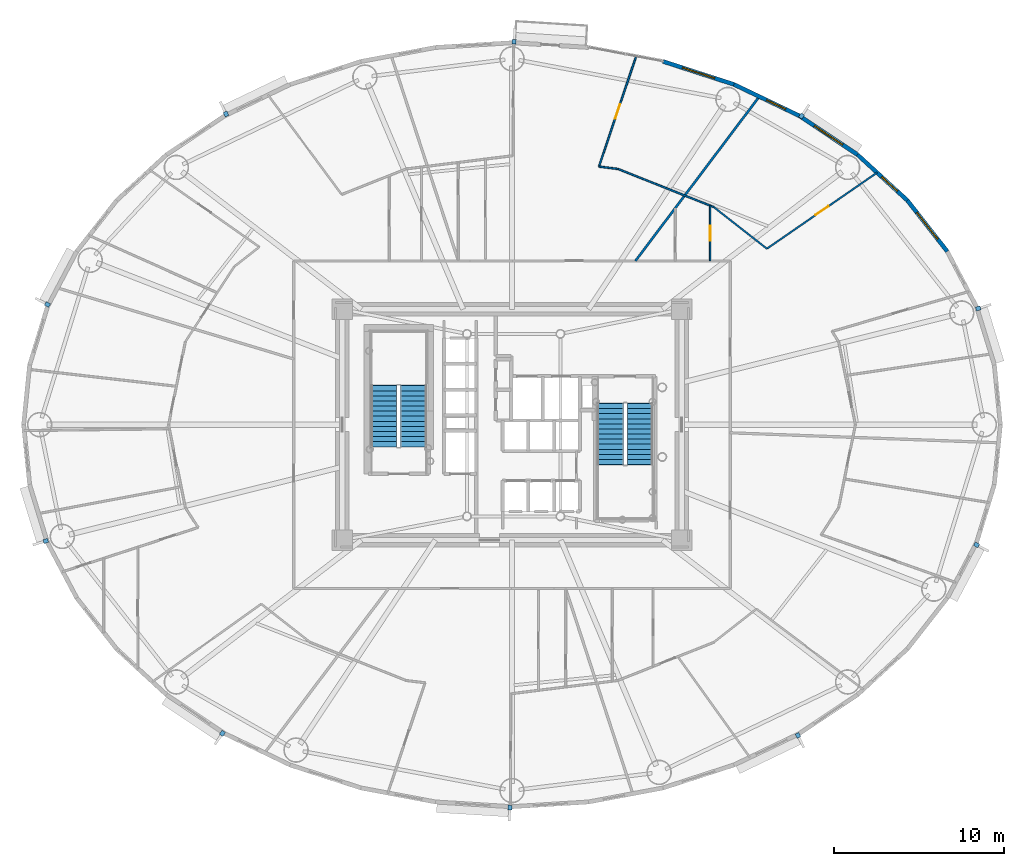
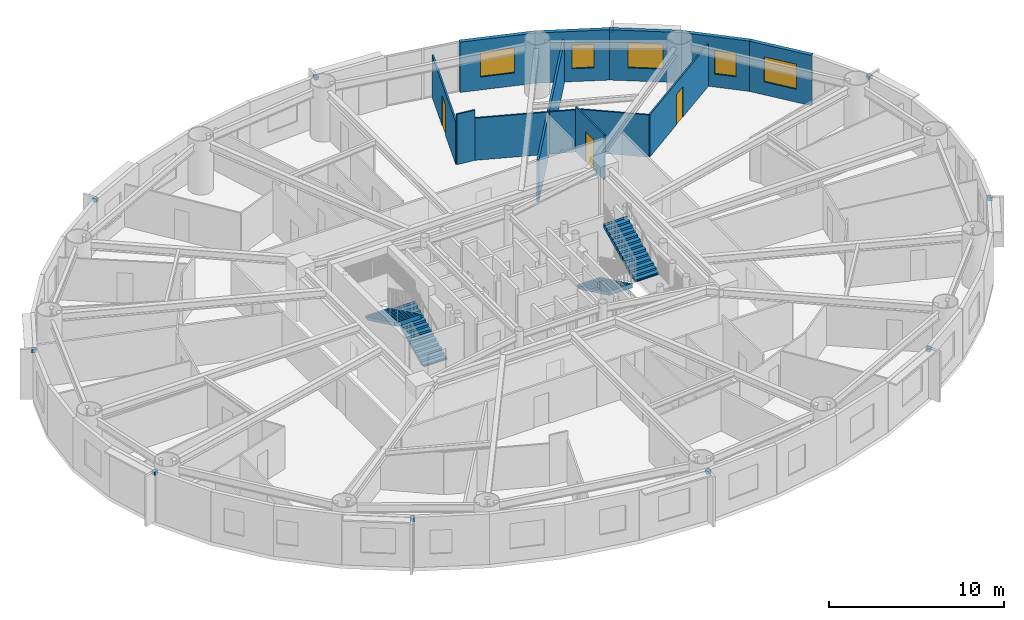
# One storey, part 11 of 16: 12 walls, 10 discrete accessories, 5 windows, 4 stair flights, 3 doors, 8 openings, 2 elements without a shape of their own.
"""IFC4 building model written with IfcOpenShell, lengths in metres."""

from ifc_helpers import new_model, si_unit, direction, frame, frame_2d, origin, origin_2d, place, context, subcontext, project, spatial, polyline, rectangle, outline, extrude, source, transform, mapped, material, layer, layer_set, type_object, element, fill, aggregate, save


model = new_model("IFC4")

# Units and contexts
model_context = context("Model", 3, precision=1e-05, world=origin(), true_north=direction((0.0, 1.0)))
body_context = subcontext(model_context, "Body", "Model", "MODEL_VIEW")
ifc_project = project(units=[si_unit("LENGTHUNIT", "METRE"), si_unit("AREAUNIT", "SQUARE_METRE"), si_unit("VOLUMEUNIT", "CUBIC_METRE"), si_unit("PLANEANGLEUNIT", "RADIAN"), si_unit("MASSUNIT", "GRAM", prefix="KILO")], contexts=[model_context])

# Site, building, storey
site_placement = place(None, origin())
site = spatial("IfcSite", under=ifc_project, at=site_placement, CompositionType="ELEMENT")
building_placement = place(site_placement, origin())
building = spatial("IfcBuilding", under=site, at=building_placement, Name="Linh Dai School and Residence Tower", CompositionType="ELEMENT")
storey_placement = place(building_placement, frame((0.0, 0.0, 108.449951171875)))
storey = spatial("IfcBuildingStorey", under=building, at=storey_placement, Name="L25", CompositionType="ELEMENT", Elevation=108.449951171875)

# Wall, opening, window
ifc_material_1 = material(Name="Precast Concrete B45 (C35/45)", Category="concrete")
ifc_layer_1 = layer(ifc_material_1, 0.239990234375)
ifc_layer_set_1 = layer_set([ifc_layer_1], Name="Precast Concrete B45 (C35/45)")
wall_type_1 = type_object("IfcWallType", Name="EW-TC-240", PredefinedType="SOLIDWALL", material=ifc_layer_set_1)
wall_1_placement = place(storey_placement, frame((59.2890625, 40.216552734375, 0.0), z_axis=(0.0, 0.0, 1.0), x_axis=(0.616272103517, -0.787533297345, 0.0)))
wall_1 = element("IfcWall", 1, at=wall_1_placement, inside=storey, type_object=wall_type_1, Name="L25 Terracotta Exterior Wall 04", PredefinedType="SOLIDWALL", context=body_context, shape_type="SweptSolid", body=[
    extrude(rectangle(XDim=3.8232421875, YDim=0.239990234375, at=frame_2d((1.91162109375, 0.0))), origin(), (0.0, 0.0, 1.0), 3.5),
])
opening_1_placement = place(wall_1_placement, frame((0.91162109375, 0.0, 0.89990234375)))
opening_1 = element("IfcOpeningElement", 2, at=opening_1_placement, cuts=wall_1, Name="Opening W1", PredefinedType="OPENING", context=body_context, shape_type="SweptSolid", body=[
    extrude(rectangle(XDim=2.0, YDim=1.75, at=origin_2d()), frame((1.0, 0.1298828125, 0.875), z_axis=(0.0, -1.0, 0.0), x_axis=(1.0, 0.0, 0.0)), (0.0, 0.0, 1.0), 0.260009765625),
])
ifc_material_2 = material(Name="Double Low-E Insulated Glazing", Category="glass")
window_type_1 = type_object("IfcWindowType", Name="WN-RES-2000x1750", PartitioningType="DOUBLE_PANEL_VERTICAL", PredefinedType="WINDOW", material=ifc_material_2)
shared_shape_1 = source(origin(), body_context, "Body", "SweptSolid", [
    extrude(rectangle(XDim=2.0, YDim=1.75, at=origin_2d()), frame((1.0, 0.030029296875, 0.875), z_axis=(0.0, -1.0, 0.0), x_axis=(1.0, 0.0, 0.0)), (0.0, 0.0, 1.0), 0.06005859375),
])
window_1_placement = place(opening_1_placement, origin())
window_1 = element("IfcWindow", 3, at=window_1_placement, inside=storey, type_object=window_type_1, Name="L25 Exterior Window 04.1", OverallHeight=1.75, OverallWidth=2.0, PartitioningType="DOUBLE_PANEL_VERTICAL", PredefinedType="WINDOW", context=body_context, shape_type="MappedRepresentation", body=[
    mapped(shared_shape_1, transform((0.0, 0.0, 0.0), x_axis=(1.0, 0.0, 0.0), y_axis=(0.0, 1.0, 0.0), z_axis=(0.0, 0.0, 1.0), scale=1.0)),
])
fill(opening_1, window_1)

wall_2_placement = place(storey_placement, frame((56.3583984375, 42.9033203125, 0.0), z_axis=(0.0, 0.0, 1.0), x_axis=(0.737113356241, -0.675769117414, 0.0)))
wall_2 = element("IfcWall", 4, at=wall_2_placement, inside=storey, type_object=wall_type_1, Name="L25 Terracotta Exterior Wall 05", PredefinedType="SOLIDWALL", context=body_context, shape_type="SweptSolid", body=[
    extrude(rectangle(XDim=3.975830078125, YDim=0.239990234375, at=frame_2d((1.98779296875, 0.0))), origin(), (0.0, 0.0, 1.0), 3.5),
])
opening_2_placement = place(wall_2_placement, frame((1.932861328125, 0.0, 0.89990234375)))
opening_2 = element("IfcOpeningElement", 5, at=opening_2_placement, cuts=wall_2, Name="Opening W3", PredefinedType="OPENING", context=body_context, shape_type="SweptSolid", body=[
    extrude(rectangle(XDim=1.25, YDim=1.64990234375, at=origin_2d()), frame((0.625, 0.1298828125, 0.824951171875), z_axis=(0.0, -1.0, 0.0), x_axis=(1.0, 0.0, 0.0)), (0.0, 0.0, 1.0), 0.260009765625),
])
window_type_2 = type_object("IfcWindowType", Name="WN-RES-1250x1650", PartitioningType="SINGLE_PANEL", PredefinedType="WINDOW", material=ifc_material_2)
shared_shape_2 = source(origin(), body_context, "Body", "SweptSolid", [
    extrude(rectangle(XDim=1.25, YDim=1.64990234375, at=origin_2d()), frame((0.625, 0.030029296875, 0.824951171875), z_axis=(0.0, -1.0, 0.0), x_axis=(1.0, 0.0, 0.0)), (0.0, 0.0, 1.0), 0.06005859375),
])
window_2_placement = place(opening_2_placement, origin())
window_2 = element("IfcWindow", 6, at=window_2_placement, inside=storey, type_object=window_type_2, Name="L25 Exterior Window 05.1", OverallHeight=1.64990234375, OverallWidth=1.25, PartitioningType="SINGLE_PANEL", PredefinedType="WINDOW", context=body_context, shape_type="MappedRepresentation", body=[
    mapped(shared_shape_2, transform((0.0, 0.0, 0.0), x_axis=(1.0, 0.0, 0.0), y_axis=(0.0, 1.0, 0.0), z_axis=(0.0, 0.0, 1.0), scale=1.0)),
])
fill(opening_2, window_2)

wall_3_placement = place(storey_placement, frame((52.92529296875, 45.199462890625, 0.0), z_axis=(0.0, 0.0, 1.0), x_axis=(0.831221811447, -0.555940914284, 0.0)))
wall_3 = element("IfcWall", 7, at=wall_3_placement, inside=storey, type_object=wall_type_1, Name="L25 Terracotta Exterior Wall 06", PredefinedType="SOLIDWALL", context=body_context, shape_type="SweptSolid", body=[
    extrude(rectangle(XDim=4.130126953125, YDim=0.239990234375, at=frame_2d((2.06494140625, 0.0))), origin(), (0.0, 0.0, 1.0), 3.5),
])
opening_3_placement = place(wall_3_placement, frame((1.06494140625, 0.0, 0.89990234375)))
opening_3 = element("IfcOpeningElement", 8, at=opening_3_placement, cuts=wall_3, Name="Opening W1", PredefinedType="OPENING", context=body_context, shape_type="SweptSolid", body=[
    extrude(rectangle(XDim=2.0, YDim=1.75, at=origin_2d()), frame((1.0, 0.1298828125, 0.875), z_axis=(0.0, -1.0, 0.0), x_axis=(1.0, 0.0, 0.0)), (0.0, 0.0, 1.0), 0.260009765625),
])
window_3_placement = place(opening_3_placement, origin())
window_3 = element("IfcWindow", 9, at=window_3_placement, inside=storey, type_object=window_type_1, Name="L25 Exterior Window 06.1", OverallHeight=1.75, OverallWidth=2.0, PartitioningType="DOUBLE_PANEL_VERTICAL", PredefinedType="WINDOW", context=body_context, shape_type="MappedRepresentation", body=[
    mapped(shared_shape_1, transform((0.0, 0.0, 0.0), x_axis=(1.0, 0.0, 0.0), y_axis=(0.0, 1.0, 0.0), z_axis=(0.0, 0.0, 1.0), scale=1.0)),
])
fill(opening_3, window_3)

wall_4_placement = place(storey_placement, frame((49.073974609375, 47.04736328125, 0.0), z_axis=(0.0, 0.0, 1.0), x_axis=(0.901589935876, -0.432591709962, 0.0)))
wall_4 = element("IfcWall", 10, at=wall_4_placement, inside=storey, type_object=wall_type_1, Name="L25 Terracotta Exterior Wall 07", PredefinedType="SOLIDWALL", context=body_context, shape_type="SweptSolid", body=[
    extrude(rectangle(XDim=4.271728515625, YDim=0.239990234375, at=frame_2d((2.1357421875, 0.0))), origin(), (0.0, 0.0, 1.0), 3.5),
])
opening_4_placement = place(wall_4_placement, frame((2.1318359375, 0.0, 0.89990234375)))
opening_4 = element("IfcOpeningElement", 11, at=opening_4_placement, cuts=wall_4, Name="Opening W3", PredefinedType="OPENING", context=body_context, shape_type="SweptSolid", body=[
    extrude(rectangle(XDim=1.25, YDim=1.64990234375, at=origin_2d()), frame((0.625, 0.1298828125, 0.824951171875), z_axis=(0.0, -1.0, 0.0), x_axis=(1.0, 0.0, 0.0)), (0.0, 0.0, 1.0), 0.260009765625),
])
window_4_placement = place(opening_4_placement, origin())
window_4 = element("IfcWindow", 12, at=window_4_placement, inside=storey, type_object=window_type_2, Name="L25 Exterior Window 07.1", OverallHeight=1.64990234375, OverallWidth=1.25, PartitioningType="SINGLE_PANEL", PredefinedType="WINDOW", context=body_context, shape_type="MappedRepresentation", body=[
    mapped(shared_shape_2, transform((0.0, 0.0, 0.0), x_axis=(1.0, 0.0, 0.0), y_axis=(0.0, 1.0, 0.0), z_axis=(0.0, 0.0, 1.0), scale=1.0)),
])
fill(opening_4, window_4)

wall_5_placement = place(storey_placement, frame((44.899658203125, 48.4013671875, 0.0), z_axis=(0.0, 0.0, 1.0), x_axis=(0.951211346073, -0.308540070495, 0.0)))
wall_5 = element("IfcWall", 13, at=wall_5_placement, inside=storey, type_object=wall_type_1, Name="L25 Terracotta Exterior Wall 08", PredefinedType="SOLIDWALL", context=body_context, shape_type="SweptSolid", body=[
    extrude(rectangle(XDim=4.388427734375, YDim=0.239990234375, at=frame_2d((2.1943359375, 0.0))), origin(), (0.0, 0.0, 1.0), 3.5),
])
opening_5_placement = place(wall_5_placement, frame((1.194091796875, 0.0, 0.89990234375)))
opening_5 = element("IfcOpeningElement", 14, at=opening_5_placement, cuts=wall_5, Name="Opening W1", PredefinedType="OPENING", context=body_context, shape_type="SweptSolid", body=[
    extrude(rectangle(XDim=2.0, YDim=1.75, at=origin_2d()), frame((1.0, 0.1298828125, 0.875), z_axis=(0.0, -1.0, 0.0), x_axis=(1.0, 0.0, 0.0)), (0.0, 0.0, 1.0), 0.260009765625),
])
window_5_placement = place(opening_5_placement, origin())
window_5 = element("IfcWindow", 15, at=window_5_placement, inside=storey, type_object=window_type_1, Name="L25 Exterior Window 08.1", OverallHeight=1.75, OverallWidth=2.0, PartitioningType="DOUBLE_PANEL_VERTICAL", PredefinedType="WINDOW", context=body_context, shape_type="MappedRepresentation", body=[
    mapped(shared_shape_1, transform((0.0, 0.0, 0.0), x_axis=(1.0, 0.0, 0.0), y_axis=(0.0, 1.0, 0.0), z_axis=(0.0, 0.0, 1.0), scale=1.0)),
])
fill(opening_5, window_5)

# Walls
ifc_material_3 = material(Name="Autoclaved Aerated Concrete Blockwork", Category="masonry")
ifc_layer_2 = layer(ifc_material_3, 0.135009765625)
ifc_layer_set_2 = layer_set([ifc_layer_2], Name="Autoclaved Aerated Concrete Blockwork")
wall_type_2 = type_object("IfcWallType", Name="IW-CORR-135-EI90", PredefinedType="PARTITIONING", material=ifc_layer_set_2)
wall_6_placement = place(storey_placement, frame((43.271728515625, 36.64990234375, 0.0), z_axis=(0.0, 0.0, 1.0), x_axis=(0.601821582461, 0.798630567211, 0.0)))
element("IfcWall", 16, at=wall_6_placement, inside=storey, type_object=wall_type_2, Name="L25 Interior Partition Wall 079", PredefinedType="PARTITIONING", context=body_context, shape_type="SweptSolid", body=[
    extrude(rectangle(XDim=12.127197265625, YDim=0.135009765625, at=frame_2d((6.0634765625, 0.0))), origin(), (0.0, 0.0, 1.0), 2.93505859375),
])
ifc_material_4 = material(Name="Gypsum Plasterboard Acoustic Stud Partition", Category="masonry")
ifc_layer_3 = layer(ifc_material_4, 0.10009765625)
ifc_layer_set_3 = layer_set([ifc_layer_3], Name="Gypsum Plasterboard Acoustic Stud Partition")
wall_type_3 = type_object("IfcWallType", Name="IW-UNIT-100", PredefinedType="PARTITIONING", material=ifc_layer_set_3)
wall_7_placement = place(storey_placement, frame((41.12451171875, 42.205322265625, 0.0), z_axis=(0.0, 0.0, 1.0), x_axis=(0.99240961586, -0.122976234894, 0.0)))
element("IfcWall", 17, at=wall_7_placement, inside=storey, type_object=wall_type_3, Name="L25 Interior Partition Wall 074", PredefinedType="PARTITIONING", context=body_context, shape_type="SweptSolid", body=[
    extrude(rectangle(XDim=1.135498046875, YDim=0.10009765625, at=frame_2d((0.56787109375, 0.0))), origin(), (0.0, 0.0, 1.0), 3.5),
])

# Wall, opening, door
wall_8_placement = place(storey_placement, frame((41.12451171875, 42.205322265625, 0.0), z_axis=(0.0, 0.0, 1.0), x_axis=(0.319387131438, 0.947624324441, 0.0)))
wall_8 = element("IfcWall", 18, at=wall_8_placement, inside=storey, type_object=wall_type_3, Name="L25 Interior Partition Wall 075", PredefinedType="PARTITIONING", context=body_context, shape_type="SweptSolid", body=[
    extrude(rectangle(XDim=6.858154296875, YDim=0.10009765625, at=frame_2d((3.42919921875, 0.0))), origin(), (0.0, 0.0, 1.0), 2.93505859375),
])
opening_6_placement = place(wall_8_placement, frame((2.97900390625, 0.0, 0.0)))
opening_6 = element("IfcOpeningElement", 19, at=opening_6_placement, cuts=wall_8, Name="Opening D05", PredefinedType="OPENING", context=body_context, shape_type="SweptSolid", body=[
    extrude(rectangle(XDim=0.89990234375, YDim=2.10009765625, at=origin_2d()), frame((0.449951171875, 0.06005859375, 1.050048828125), z_axis=(0.0, -1.0, 0.0), x_axis=(1.0, 0.0, 0.0)), (0.0, 0.0, 1.0), 0.1201171875),
])
ifc_material_5 = material(Name="Engineered Timber Internal Door", Category="wood")
door_type = type_object("IfcDoorType", Name="DR-INT-900x2100", OperationType="NOTDEFINED", PredefinedType="DOOR", material=ifc_material_5)
shared_shape_3 = source(origin(), body_context, "Body", "SweptSolid", [
    extrude(rectangle(XDim=0.89990234375, YDim=2.10009765625, at=origin_2d()), frame((0.449951171875, 0.02490234375, 1.050048828125), z_axis=(0.0, -1.0, 0.0), x_axis=(1.0, 0.0, 0.0)), (0.0, 0.0, 1.0), 0.050048828125),
])
door_1_placement = place(opening_6_placement, origin())
door_1 = element("IfcDoor", 20, at=door_1_placement, inside=storey, type_object=door_type, Name="L25 Apartment U2501 Principal Bedroom 1 Door", OperationType="SINGLE_SWING_RIGHT", OverallHeight=2.10009765625, OverallWidth=0.89990234375, PredefinedType="DOOR", context=body_context, shape_type="MappedRepresentation", body=[
    mapped(shared_shape_3, transform((0.0, 0.0, 0.0), x_axis=(1.0, 0.0, 0.0), y_axis=(0.0, 1.0, 0.0), z_axis=(0.0, 0.0, 1.0), scale=1.0)),
])
fill(opening_6, door_1)

# Wall
wall_9_placement = place(storey_placement, frame((42.25146484375, 42.065673828125, 0.0), z_axis=(0.0, 0.0, 1.0), x_axis=(0.9288090756, -0.370558633798, 0.0)))
element("IfcWall", 21, at=wall_9_placement, inside=storey, type_object=wall_type_3, Name="L25 Interior Partition Wall 078", PredefinedType="PARTITIONING", context=body_context, shape_type="SweptSolid", body=[
    extrude(rectangle(XDim=6.072021484375, YDim=0.10009765625, at=frame_2d((3.0361328125, 0.0))), origin(), (0.0, 0.0, 1.0), 2.93505859375),
])

# Wall, opening, door
wall_10_placement = place(storey_placement, frame((47.671630859375, 36.64990234375, 0.0), z_axis=(0.0, 0.0, 1.0), x_axis=(0.0, 1.0, 0.0)))
wall_10 = element("IfcWall", 22, at=wall_10_placement, inside=storey, type_object=wall_type_3, Name="L25 Interior Partition Wall 084", PredefinedType="PARTITIONING", context=body_context, shape_type="SweptSolid", body=[
    extrude(rectangle(XDim=3.253173828125, YDim=0.10009765625, at=frame_2d((1.62646484375, 0.0))), origin(), (0.0, 0.0, 1.0), 3.125),
])
opening_7_placement = place(wall_10_placement, frame((1.176513671875, 0.0, 0.0)))
opening_7 = element("IfcOpeningElement", 23, at=opening_7_placement, cuts=wall_10, Name="Opening D05", PredefinedType="OPENING", context=body_context, shape_type="SweptSolid", body=[
    extrude(rectangle(XDim=0.89990234375, YDim=2.10009765625, at=origin_2d()), frame((0.449951171875, 0.06005859375, 1.050048828125), z_axis=(0.0, -1.0, 0.0), x_axis=(1.0, 0.0, 0.0)), (0.0, 0.0, 1.0), 0.1201171875),
])
door_2_placement = place(opening_7_placement, origin())
door_2 = element("IfcDoor", 24, at=door_2_placement, inside=storey, type_object=door_type, Name="L25 Apartment U2506 Kitchen Door", OperationType="SINGLE_SWING_RIGHT", OverallHeight=2.10009765625, OverallWidth=0.89990234375, PredefinedType="DOOR", context=body_context, shape_type="MappedRepresentation", body=[
    mapped(shared_shape_3, transform((0.0, 0.0, 0.0), x_axis=(1.0, 0.0, 0.0), y_axis=(0.0, 1.0, 0.0), z_axis=(0.0, 0.0, 1.0), scale=1.0)),
])
fill(opening_7, door_2)

# Wall
wall_11_placement = place(storey_placement, frame((47.890869140625, 39.815673828125, 0.0), z_axis=(0.0, 0.0, 1.0), x_axis=(0.787331052764, -0.616530464254, 0.0)))
element("IfcWall", 25, at=wall_11_placement, inside=storey, type_object=wall_type_3, Name="L25 Interior Partition Wall 086", PredefinedType="PARTITIONING", context=body_context, shape_type="SweptSolid", body=[
    extrude(rectangle(XDim=3.969482421875, YDim=0.10009765625, at=frame_2d((1.98486328125, 0.0))), origin(), (0.0, 0.0, 1.0), 2.93505859375),
])

# Wall, opening, door
wall_12_placement = place(storey_placement, frame((51.01611328125, 37.368408203125, 0.0), z_axis=(0.0, 0.0, 1.0), x_axis=(0.822878649823, 0.568217148338, 0.0)))
wall_12 = element("IfcWall", 26, at=wall_12_placement, inside=storey, type_object=wall_type_3, Name="L25 Interior Partition Wall 090", PredefinedType="PARTITIONING", context=body_context, shape_type="SweptSolid", body=[
    extrude(rectangle(XDim=7.892822265625, YDim=0.10009765625, at=frame_2d((3.9462890625, 0.0))), origin(), (0.0, 0.0, 1.0), 2.93505859375),
])
opening_8_placement = place(wall_12_placement, frame((3.49658203125, 0.0, 0.0)))
opening_8 = element("IfcOpeningElement", 27, at=opening_8_placement, cuts=wall_12, Name="Opening D05", PredefinedType="OPENING", context=body_context, shape_type="SweptSolid", body=[
    extrude(rectangle(XDim=0.89990234375, YDim=2.10009765625, at=origin_2d()), frame((0.449951171875, 0.06005859375, 1.050048828125), z_axis=(0.0, -1.0, 0.0), x_axis=(1.0, 0.0, 0.0)), (0.0, 0.0, 1.0), 0.1201171875),
])
door_3_placement = place(opening_8_placement, origin())
door_3 = element("IfcDoor", 28, at=door_3_placement, inside=storey, type_object=door_type, Name="L25 Apartment U2506 Principal Bedroom 2 Door", OperationType="SINGLE_SWING_LEFT", OverallHeight=2.10009765625, OverallWidth=0.89990234375, PredefinedType="DOOR", context=body_context, shape_type="MappedRepresentation", body=[
    mapped(shared_shape_3, transform((0.0, 0.0, 0.0), x_axis=(1.0, 0.0, 0.0), y_axis=(0.0, 1.0, 0.0), z_axis=(0.0, 0.0, 1.0), scale=1.0)),
])
fill(opening_8, door_3)

# Stair, stair flights
ifc_material_6 = material(Name="Concrete B45 (C35/45)", Category="concrete")
stair_type = type_object("IfcStairType", Name="ST-DOG-1550-R1442", PredefinedType="HALF_TURN_STAIR", material=ifc_material_6)
stair_1_placement = place(storey_placement, origin())
stair_1 = element("IfcStair", 29, at=stair_1_placement, inside=storey, type_object=stair_type, Name="L25 Core Smokeproof Exit Stair ST1", PredefinedType="HALF_TURN_STAIR")
stair_flight_type = type_object("IfcStairFlightType", Name="STF-STR-1550-R1442", PredefinedType="STRAIGHT", material=ifc_material_6)
shared_shape_4 = source(origin(), body_context, "Body", "SweptSolid", [
    extrude(outline(polyline([(-0.02490234375, 0.0), (-0.02490234375, 0.06005859375), (0.0, 0.06005859375), (0.0, 0.144287109375), (0.300048828125, 0.144287109375), (0.300048828125, 0.28857421875), (0.60009765625, 0.28857421875), (0.60009765625, 0.4326171875), (0.89990234375, 0.4326171875), (0.89990234375, 0.576904296875), (1.199951171875, 0.576904296875), (1.199951171875, 0.72119140625), (1.5, 0.72119140625), (1.5, 0.865478515625), (1.800048828125, 0.865478515625), (1.800048828125, 1.009521484375), (2.10009765625, 1.009521484375), (2.10009765625, 1.15380859375), (2.39990234375, 1.15380859375), (2.39990234375, 1.298095703125), (2.699951171875, 1.298095703125), (2.699951171875, 1.4423828125), (3.0, 1.4423828125), (3.0, 1.58642578125), (3.300048828125, 1.58642578125), (3.300048828125, 1.730712890625), (3.60009765625, 1.730712890625), (3.60009765625, 1.875), (3.625, 1.875), (3.625, 1.564453125), (3.60009765625, 1.564453125), (0.345947265625, 0.0), (-0.02490234375, 0.0)])), frame((0.0, 0.77490234375, 0.0), z_axis=(0.0, -1.0, 0.0), x_axis=(1.0, 0.0, 0.0)), (0.0, 0.0, 1.0), 1.550048828125),
])
stair_flight_1_placement = place(storey_placement, frame((30.205078125, 25.699951171875, 0.0), z_axis=(0.0, 0.0, 1.0), x_axis=(0.0, 1.0, 0.0)))
stair_flight_1 = element("IfcStairFlight", 30, at=stair_flight_1_placement, type_object=stair_flight_type, Name="ST1 flight 1", NumberOfRisers=13, NumberOfTreads=12, PredefinedType="STRAIGHT", RiserHeight=0.144230769, TreadLength=0.3, context=body_context, shape_type="MappedRepresentation", body=[
    mapped(shared_shape_4, transform((0.0, 0.0, 0.0), x_axis=(1.0, 0.0, 0.0), y_axis=(0.0, 1.0, 0.0), z_axis=(0.0, 0.0, 1.0), scale=1.0)),
])
stair_flight_2_placement = place(storey_placement, frame((28.455078125, 29.300048828125, 1.875), z_axis=(0.0, 0.0, 1.0), x_axis=(0.0, -1.0, 0.0)))
stair_flight_2 = element("IfcStairFlight", 31, at=stair_flight_2_placement, type_object=stair_flight_type, Name="ST1 flight 2", NumberOfRisers=13, NumberOfTreads=12, PredefinedType="STRAIGHT", RiserHeight=0.144230769, TreadLength=0.3, context=body_context, shape_type="MappedRepresentation", body=[
    mapped(shared_shape_4, transform((0.0, 0.0, 0.0), x_axis=(1.0, 0.0, 0.0), y_axis=(0.0, 1.0, 0.0), z_axis=(0.0, 0.0, 1.0), scale=1.0)),
])
aggregate(stair_1, [stair_flight_1, stair_flight_2])

stair_2_placement = place(storey_placement, origin())
stair_2 = element("IfcStair", 32, at=stair_2_placement, inside=storey, type_object=stair_type, Name="L25 Core Smokeproof Exit Stair ST2", PredefinedType="HALF_TURN_STAIR")
stair_flight_3_placement = place(storey_placement, frame((41.794921875, 28.25, 0.0), z_axis=(0.0, 0.0, 1.0), x_axis=(0.0, -1.0, 0.0)))
stair_flight_3 = element("IfcStairFlight", 33, at=stair_flight_3_placement, type_object=stair_flight_type, Name="ST2 flight 1", NumberOfRisers=13, NumberOfTreads=12, PredefinedType="STRAIGHT", RiserHeight=0.144230769, TreadLength=0.3, context=body_context, shape_type="MappedRepresentation", body=[
    mapped(shared_shape_4, transform((0.0, 0.0, 0.0), x_axis=(1.0, 0.0, 0.0), y_axis=(0.0, 1.0, 0.0), z_axis=(0.0, 0.0, 1.0), scale=1.0)),
])
stair_flight_4_placement = place(storey_placement, frame((43.544921875, 24.64990234375, 1.875), z_axis=(0.0, 0.0, 1.0), x_axis=(0.0, 1.0, 0.0)))
stair_flight_4 = element("IfcStairFlight", 34, at=stair_flight_4_placement, type_object=stair_flight_type, Name="ST2 flight 2", NumberOfRisers=13, NumberOfTreads=12, PredefinedType="STRAIGHT", RiserHeight=0.144230769, TreadLength=0.3, context=body_context, shape_type="MappedRepresentation", body=[
    mapped(shared_shape_4, transform((0.0, 0.0, 0.0), x_axis=(1.0, 0.0, 0.0), y_axis=(0.0, 1.0, 0.0), z_axis=(0.0, 0.0, 1.0), scale=1.0)),
])
aggregate(stair_2, [stair_flight_3, stair_flight_4])

# Discrete accessories
ifc_material_7 = material(Name="Structural Steel S355JR", Category="steel")
discrete_accessory_type = type_object("IfcDiscreteAccessoryType", Name="ACC-BRK-S355", PredefinedType="BRACKET", material=ifc_material_7)
shared_shape_5 = source(origin(), body_context, "Body", "SweptSolid", [
    extrude(rectangle(XDim=0.280029296875, YDim=0.239990234375, at=origin_2d()), origin(), (0.0, 0.0, 1.0), 0.219970703125),
])
for number, where, z_axis, x_axis, name in (
    (35, (63.462646484375, 33.847900390625, 3.25), (0.0, 0.0, 1.0), (0.956071511028, 0.293133528962, 0.0), "L25 Facade Frame Anchor Bracket 02"),
    (36, (53.058349609375, 45.1826171875, 3.25), (0.0, 0.0, 1.0), (0.555913198527, 0.831240347736, 0.0), "L25 Facade Frame Anchor Bracket 06"),
    (37, (36.12353515625, 49.5576171875, 3.25), (0.0, 0.0, 1.0), (0.061509255091, 0.998106513123, 0.0), "L25 Facade Frame Anchor Bracket 10"),
    (38, (19.156982421875, 45.305419921875, 3.25), (0.0, 0.0, 1.0), (-0.432617589064, 0.901577518371, 0.0), "L25 Facade Frame Anchor Bracket 14"),
    (39, (8.633056640625, 34.079345703125, 3.25), (0.0, 0.0, 1.0), (-0.883942180016, 0.467596217252, 0.0), "L25 Facade Frame Anchor Bracket 18"),
    (40, (8.537353515625, 20.152099609375, 3.25), (0.0, 0.0, 1.0), (-0.956071511028, -0.293133528962, 0.0), "L25 Facade Frame Anchor Bracket 22"),
    (41, (18.941650390625, 8.8173828125, 3.25), (0.0, 0.0, 1.0), (-0.555913198527, -0.831240347736, 0.0), "L25 Facade Frame Anchor Bracket 26"),
    (42, (35.87646484375, 4.4423828125, 3.25), (0.0, 0.0, 1.0), (-0.061509255091, -0.998106513123, 0.0), "L25 Facade Frame Anchor Bracket 30"),
    (43, (52.843017578125, 8.694580078125, 3.25), (0.0, 0.0, 1.0), (0.432617589064, -0.901577518371, 0.0), "L25 Facade Frame Anchor Bracket 34"),
    (44, (63.366943359375, 19.920654296875, 3.25), (0.0, 0.0, 1.0), (0.883942180016, -0.467596217252, 0.0), "L25 Facade Frame Anchor Bracket 38"),
):
    element("IfcDiscreteAccessory", number, at=place(storey_placement, frame(where, z_axis=z_axis, x_axis=x_axis)), inside=storey, type_object=discrete_accessory_type, Name=name, PredefinedType="BRACKET", context=body_context, shape_type="MappedRepresentation", body=[
        mapped(shared_shape_5, transform((0.0, 0.0, 0.0), x_axis=(1.0, 0.0, 0.0), y_axis=(0.0, 1.0, 0.0), z_axis=(0.0, 0.0, 1.0), scale=1.0)),
    ])

save(model, "model.ifc")
